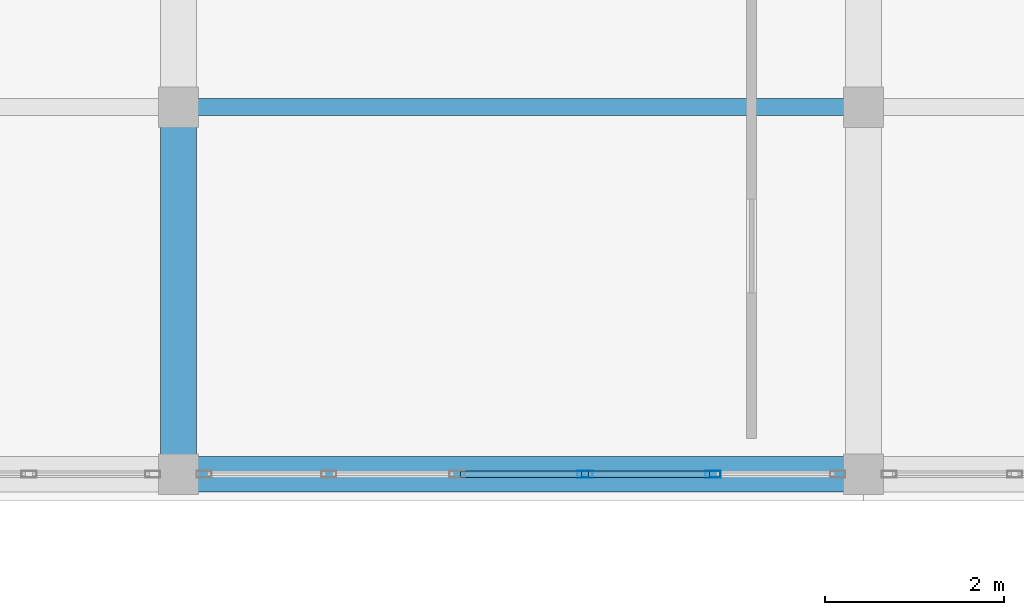
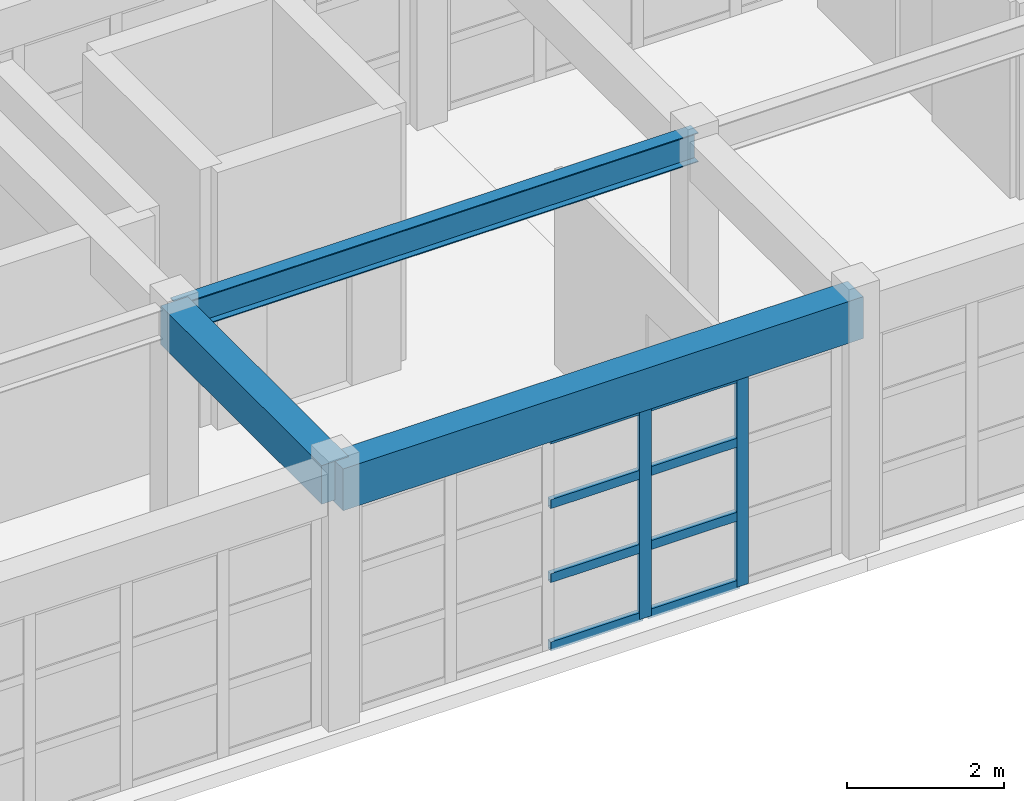
# One storey, part 8 of 52: 10 members, 3 beams, 1 element without a shape of its own.
"""IFC4 building model written with IfcOpenShell, lengths in metres."""

from ifc_helpers import new_model, si_unit, direction, frame, origin, origin_2d, place, context, subcontext, project, spatial, rectangle, hollow_rectangle, i_section, extrude, material, layer, layer_set, material_profile, profile_set, type_object, element, aggregate, save


model = new_model("IFC4")

# Units and contexts
model_context = context("Model", 3, precision=1e-05, world=origin(), true_north=direction((0.0, 1.0)))
body_context = subcontext(model_context, "Body", "Model", "MODEL_VIEW")
ifc_project = project(units=[si_unit("LENGTHUNIT", "METRE"), si_unit("AREAUNIT", "SQUARE_METRE"), si_unit("VOLUMEUNIT", "CUBIC_METRE"), si_unit("PLANEANGLEUNIT", "RADIAN"), si_unit("MASSUNIT", "GRAM", prefix="KILO")], contexts=[model_context])

# Site, building, storey
site_placement = place(None, origin())
site = spatial("IfcSite", under=ifc_project, at=site_placement, CompositionType="ELEMENT")
building_placement = place(site_placement, origin())
building = spatial("IfcBuilding", under=site, at=building_placement, Name="Candilejo Ridge Gondola Terminal", CompositionType="ELEMENT")
storey_placement = place(building_placement, frame((0.0, 0.0, 18.60009765625)))
storey = spatial("IfcBuildingStorey", under=building, at=storey_placement, Name="L04", CompositionType="ELEMENT", Elevation=18.60009765625)

# Curtain wall, members
ifc_material_1 = material(Name="Anodised aluminium AA 6063-T6", Category="aluminium")
ifc_layer = layer(ifc_material_1, 0.169921875)
ifc_layer_set = layer_set([ifc_layer], Name="ARC-CW-GALLERY-3200-715X329")
curtain_wall_type = type_object("IfcCurtainWallType", Name="ARC-CW-GALLERY-3200-715X329", PredefinedType="NOTDEFINED", material=ifc_layer_set)
curtain_wall_placement = place(storey_placement, origin())
curtain_wall = element("IfcCurtainWall", 1, at=curtain_wall_placement, inside=storey, type_object=curtain_wall_type, Name="Curtain wall V3 L04-103", PredefinedType="NOTDEFINED")
ifc_material_2 = material(Name="Anodised aluminium AA 6063-T6", Category="aluminium")
ifc_material_profile_1 = material_profile(ifc_material_2, hollow_rectangle(XDim=0.074951171875, YDim=0.169921875, WallThickness=0.00390625, at=origin_2d()))
ifc_profile_set_1 = profile_set([ifc_material_profile_1], Name="Anodised aluminium AA 6063-T6")
member_type_1 = type_object("IfcMemberType", Name="ARC-CW-MULLION", PredefinedType="MULLION", material=ifc_profile_set_1)
member_1_placement = place(storey_placement, frame((106.739990234375, 25.699951171875, 0.0), z_axis=(0.0, 0.0, 1.0), x_axis=(0.0, 1.0, 0.0)))
member_1 = element("IfcMember", 2, at=member_1_placement, type_object=member_type_1, Name="CW-71X32 mullion 4", PredefinedType="MULLION", context=body_context, shape_type="SweptSolid", body=[
    extrude(hollow_rectangle(XDim=0.074951171875, YDim=0.169921875, WallThickness=0.00390625, at=origin_2d()), origin(), (0.0, 0.0, 1.0), 3.289794921875),
])
member_2_placement = place(storey_placement, frame((108.169921875, 25.699951171875, 0.0), z_axis=(0.0, 0.0, 1.0), x_axis=(0.0, 1.0, 0.0)))
member_2 = element("IfcMember", 3, at=member_2_placement, type_object=member_type_1, Name="CW-71X32 mullion 5", PredefinedType="MULLION", context=body_context, shape_type="SweptSolid", body=[
    extrude(hollow_rectangle(XDim=0.074951171875, YDim=0.169921875, WallThickness=0.00390625, at=origin_2d()), origin(), (0.0, 0.0, 1.0), 3.289794921875),
])
ifc_material_3 = material(Name="Anodised aluminium AA 6063-T6", Category="aluminium")
ifc_material_profile_2 = material_profile(ifc_material_3, hollow_rectangle(XDim=0.074951171875, YDim=0.139892578125, WallThickness=0.00390625, at=origin_2d()))
ifc_profile_set_2 = profile_set([ifc_material_profile_2], Name="Anodised aluminium AA 6063-T6")
member_type_2 = type_object("IfcMemberType", Name="ARC-CW-TRANSOM", PredefinedType="USERDEFINED", material=ifc_profile_set_2)
member_3_placement = place(storey_placement, frame((105.347412109375, 25.699951171875, 0.037353515625), z_axis=(1.0, 0.0, 0.0), x_axis=(0.0, 1.0, 0.0)))
member_3 = element("IfcMember", 4, at=member_3_placement, type_object=member_type_2, Name="CW-71X32 transom 3.1", ObjectType="TRANSOM", PredefinedType="USERDEFINED", context=body_context, shape_type="SweptSolid", body=[
    extrude(hollow_rectangle(XDim=0.074951171875, YDim=0.139892578125, WallThickness=0.00390625, at=origin_2d()), origin(), (0.0, 0.0, 1.0), 1.35498046875),
])
member_4_placement = place(storey_placement, frame((105.347412109375, 25.699951171875, 1.099853515625), z_axis=(1.0, 0.0, 0.0), x_axis=(0.0, 1.0, 0.0)))
member_4 = element("IfcMember", 5, at=member_4_placement, type_object=member_type_2, Name="CW-71X32 transom 3.2", ObjectType="TRANSOM", PredefinedType="USERDEFINED", context=body_context, shape_type="SweptSolid", body=[
    extrude(hollow_rectangle(XDim=0.074951171875, YDim=0.139892578125, WallThickness=0.00390625, at=origin_2d()), origin(), (0.0, 0.0, 1.0), 1.35498046875),
])
member_5_placement = place(storey_placement, frame((105.347412109375, 25.699951171875, 2.25), z_axis=(1.0, 0.0, 0.0), x_axis=(0.0, 1.0, 0.0)))
member_5 = element("IfcMember", 6, at=member_5_placement, type_object=member_type_2, Name="CW-71X32 transom 3.3", ObjectType="TRANSOM", PredefinedType="USERDEFINED", context=body_context, shape_type="SweptSolid", body=[
    extrude(hollow_rectangle(XDim=0.074951171875, YDim=0.139892578125, WallThickness=0.00390625, at=origin_2d()), origin(), (0.0, 0.0, 1.0), 1.35498046875),
])
member_6_placement = place(storey_placement, frame((105.347412109375, 25.699951171875, 3.25244140625), z_axis=(1.0, 0.0, 0.0), x_axis=(0.0, 1.0, 0.0)))
member_6 = element("IfcMember", 7, at=member_6_placement, type_object=member_type_2, Name="CW-71X32 transom 3.4", ObjectType="TRANSOM", PredefinedType="USERDEFINED", context=body_context, shape_type="SweptSolid", body=[
    extrude(hollow_rectangle(XDim=0.074951171875, YDim=0.139892578125, WallThickness=0.00390625, at=origin_2d()), origin(), (0.0, 0.0, 1.0), 1.35498046875),
])
member_7_placement = place(storey_placement, frame((106.777587890625, 25.699951171875, 0.037353515625), z_axis=(1.0, 0.0, 0.0), x_axis=(0.0, 1.0, 0.0)))
member_7 = element("IfcMember", 8, at=member_7_placement, type_object=member_type_2, Name="CW-71X32 transom 4.1", ObjectType="TRANSOM", PredefinedType="USERDEFINED", context=body_context, shape_type="SweptSolid", body=[
    extrude(hollow_rectangle(XDim=0.074951171875, YDim=0.139892578125, WallThickness=0.00390625, at=origin_2d()), origin(), (0.0, 0.0, 1.0), 1.35498046875),
])
member_8_placement = place(storey_placement, frame((106.777587890625, 25.699951171875, 1.099853515625), z_axis=(1.0, 0.0, 0.0), x_axis=(0.0, 1.0, 0.0)))
member_8 = element("IfcMember", 9, at=member_8_placement, type_object=member_type_2, Name="CW-71X32 transom 4.2", ObjectType="TRANSOM", PredefinedType="USERDEFINED", context=body_context, shape_type="SweptSolid", body=[
    extrude(hollow_rectangle(XDim=0.074951171875, YDim=0.139892578125, WallThickness=0.00390625, at=origin_2d()), origin(), (0.0, 0.0, 1.0), 1.35498046875),
])
member_9_placement = place(storey_placement, frame((106.777587890625, 25.699951171875, 2.25), z_axis=(1.0, 0.0, 0.0), x_axis=(0.0, 1.0, 0.0)))
member_9 = element("IfcMember", 10, at=member_9_placement, type_object=member_type_2, Name="CW-71X32 transom 4.3", ObjectType="TRANSOM", PredefinedType="USERDEFINED", context=body_context, shape_type="SweptSolid", body=[
    extrude(hollow_rectangle(XDim=0.074951171875, YDim=0.139892578125, WallThickness=0.00390625, at=origin_2d()), origin(), (0.0, 0.0, 1.0), 1.35498046875),
])
member_10_placement = place(storey_placement, frame((106.777587890625, 25.699951171875, 3.25244140625), z_axis=(1.0, 0.0, 0.0), x_axis=(0.0, 1.0, 0.0)))
member_10 = element("IfcMember", 11, at=member_10_placement, type_object=member_type_2, Name="CW-71X32 transom 4.4", ObjectType="TRANSOM", PredefinedType="USERDEFINED", context=body_context, shape_type="SweptSolid", body=[
    extrude(hollow_rectangle(XDim=0.074951171875, YDim=0.139892578125, WallThickness=0.00390625, at=origin_2d()), origin(), (0.0, 0.0, 1.0), 1.35498046875),
])
aggregate(curtain_wall, [member_1, member_2, member_3, member_4, member_5, member_6, member_7, member_8, member_9, member_10])

# Beams
ifc_material_4 = material(Name="Concrete f'c 35 MPa (C35/45)", Category="concrete")
ifc_material_profile_3 = material_profile(ifc_material_4, rectangle(XDim=0.39990234375, YDim=0.60009765625, at=origin_2d()))
ifc_profile_set_3 = profile_set([ifc_material_profile_3], Name="Concrete f'c 35 MPa (C35/45)")
beam_type_1 = type_object("IfcBeamType", Name="STR-BM-RC400X600", PredefinedType="BEAM", material=ifc_profile_set_3)
beam_1_placement = place(storey_placement, frame((102.199951171875, 25.699951171875, 3.699951171875), z_axis=(0.0, 1.0, 0.0), x_axis=(-1.0, 0.0, 0.0)))
element("IfcBeam", 12, at=beam_1_placement, inside=storey, type_object=beam_type_1, Name="Beam Y V3 L04 Y05-Y06@X16", PredefinedType="BEAM", context=body_context, shape_type="SweptSolid", body=[
    extrude(rectangle(XDim=0.39990234375, YDim=0.60009765625, at=origin_2d()), origin(), (0.0, 0.0, 1.0), 4.10009765625),
])
ifc_material_5 = material(Name="Steel ASTM A992 Grade 50", Category="steel")
ifc_material_profile_4 = material_profile(ifc_material_5, i_section(OverallWidth=0.18994140625, OverallDepth=0.45703125, WebThickness=0.009033203125, FlangeThickness=0.014404296875, at=origin_2d()))
ifc_profile_set_4 = profile_set([ifc_material_profile_4], Name="Steel ASTM A992 Grade 50")
beam_type_2 = type_object("IfcBeamType", Name="STR-BM-W460X74", PredefinedType="BEAM", material=ifc_profile_set_4)
beam_2_placement = place(storey_placement, frame((102.199951171875, 29.800048828125, 3.771484375), z_axis=(1.0, 0.0, 0.0), x_axis=(0.0, 1.0, 0.0)))
element("IfcBeam", 13, at=beam_2_placement, inside=storey, type_object=beam_type_2, Name="Beam X V3 L04 X16-X17@Y06", PredefinedType="BEAM", context=body_context, shape_type="SweptSolid", body=[
    extrude(i_section(OverallWidth=0.18994140625, OverallDepth=0.45703125, WebThickness=0.009033203125, FlangeThickness=0.014404296875, at=origin_2d()), origin(), (0.0, 0.0, 1.0), 7.650146484375),
])
ifc_material_6 = material(Name="Concrete f'c 35 MPa (C35/45)", Category="concrete")
ifc_material_profile_5 = material_profile(ifc_material_6, rectangle(XDim=0.39990234375, YDim=0.64990234375, at=origin_2d()))
ifc_profile_set_5 = profile_set([ifc_material_profile_5], Name="Concrete f'c 35 MPa (C35/45)")
beam_type_3 = type_object("IfcBeamType", Name="STR-SPN-RC400X650", PredefinedType="SPANDREL", material=ifc_profile_set_5)
beam_3_placement = place(storey_placement, frame((102.199951171875, 25.699951171875, 3.6748046875), z_axis=(1.0, 0.0, 0.0), x_axis=(0.0, 1.0, 0.0)))
element("IfcBeam", 14, at=beam_3_placement, inside=storey, type_object=beam_type_3, Name="Beam X V3 L04 X16-X17@Y05", PredefinedType="SPANDREL", context=body_context, shape_type="SweptSolid", body=[
    extrude(rectangle(XDim=0.39990234375, YDim=0.64990234375, at=origin_2d()), origin(), (0.0, 0.0, 1.0), 7.650146484375),
])

save(model, "model.ifc")
